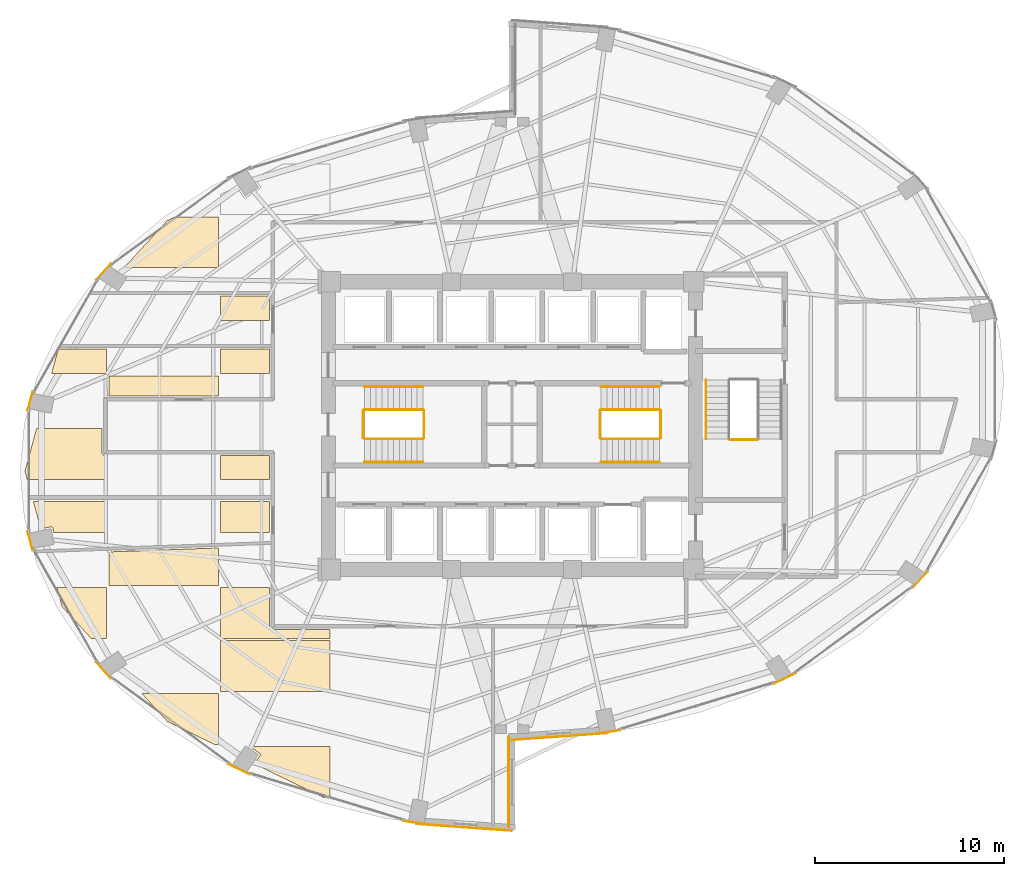
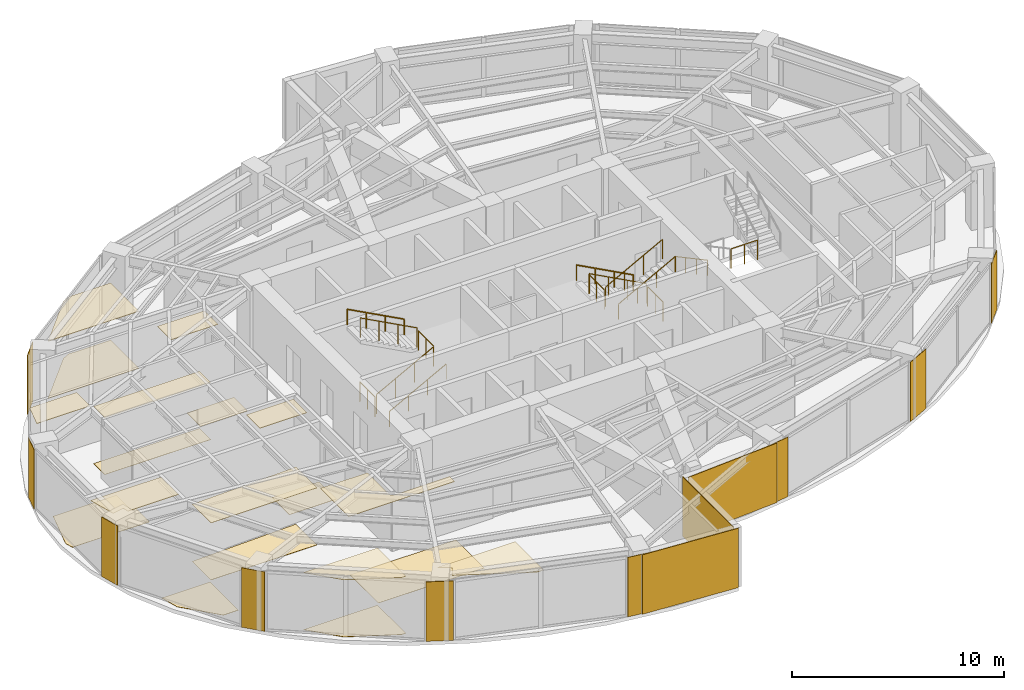
# One storey, part 22 of 23: 31 coverings, 14 railings.
"""IFC4 building model written with IfcOpenShell, lengths in metres."""

from ifc_helpers import new_model, si_unit, direction, frame, origin, origin_2d, place, context, subcontext, project, spatial, polyline, rectangle, circle, outline, extrude, material, layer, layer_set, type_object, element, save


model = new_model("IFC4")

# Units and contexts
model_context = context("Model", 3, precision=1e-05, world=origin(), true_north=direction((0.0, 1.0)))
body_context = subcontext(model_context, "Body", "Model", "MODEL_VIEW")
ifc_project = project(units=[si_unit("LENGTHUNIT", "METRE"), si_unit("AREAUNIT", "SQUARE_METRE"), si_unit("VOLUMEUNIT", "CUBIC_METRE"), si_unit("PLANEANGLEUNIT", "RADIAN"), si_unit("MASSUNIT", "GRAM", prefix="KILO")], contexts=[model_context])

# Site, building, storey
site_placement = place(None, origin())
site = spatial("IfcSite", under=ifc_project, at=site_placement, CompositionType="ELEMENT")
building_placement = place(site_placement, origin())
building = spatial("IfcBuilding", under=site, at=building_placement, Name="Lazwardi Medical Tower", CompositionType="ELEMENT")
storey_placement = place(building_placement, frame((0.0, 0.0, 92.68798828125)))
storey = spatial("IfcBuildingStorey", under=building, at=storey_placement, Name="L23", CompositionType="ELEMENT", Elevation=92.68798828125)

# Coverings
ifc_material_1 = material(Name="Anodised bronze aluminium cassette cladding", Category="aluminium")
ifc_layer_1 = layer(ifc_material_1, 0.030029296875)
ifc_layer_set_1 = layer_set([ifc_layer_1], Name="Anodised bronze aluminium cassette cladding")
covering_type_1 = type_object("IfcCoveringType", Name="COV-CLD-BRZ", PredefinedType="CLADDING", material=ifc_layer_set_1)
covering_1_placement = place(storey_placement, frame((41.064208984375, 11.80322265625, 0.0), z_axis=(0.0, 0.0, 1.0), x_axis=(0.989609019093, 0.143784523955, 0.0)))
element("IfcCovering", 1, at=covering_1_placement, inside=storey, type_object=covering_type_1, Name="L23 Mega-column bronze cassette cover M01", PredefinedType="CLADDING", context=body_context, shape_type="SweptSolid", body=[
    extrude(rectangle(XDim=1.392333984375, YDim=0.030029296875, at=origin_2d()), origin(), (0.0, 0.0, 1.0), 3.427978515625),
])
covering_2_placement = place(storey_placement, frame((50.421875, 14.634521484375, 0.0), z_axis=(0.0, 0.0, 1.0), x_axis=(0.898679250201, 0.438606435495, 0.0)))
element("IfcCovering", 2, at=covering_2_placement, inside=storey, type_object=covering_type_1, Name="L23 Mega-column bronze cassette cover M02", PredefinedType="CLADDING", context=body_context, shape_type="SweptSolid", body=[
    extrude(rectangle(XDim=1.2998046875, YDim=0.030029296875, at=origin_2d()), origin(), (0.0, 0.0, 1.0), 3.427978515625),
])
for number, where, z_axis, x_axis, name in (
    (3, (57.583740234375, 19.86572265625, 0.0), (0.0, 0.0, 1.0), (0.674925949214, 0.737885467453, 0.0), "L23 Mega-column bronze cassette cover M03"),
    (4, (14.416259765625, 36.13427734375, 0.0), (0.0, 0.0, 1.0), (-0.674925949214, -0.737885467453, 0.0), "L23 Mega-column bronze cassette cover M11"),
):
    element("IfcCovering", number, at=place(storey_placement, frame(where, z_axis=z_axis, x_axis=x_axis)), inside=storey, type_object=covering_type_1, Name=name, PredefinedType="CLADDING", context=body_context, shape_type="SweptSolid", body=[
        extrude(rectangle(XDim=1.15625, YDim=0.030029296875, at=origin_2d()), origin(), (0.0, 0.0, 1.0), 3.427978515625),
    ])
for number, where, z_axis, x_axis, name in (
    (5, (10.540283203125, 29.299072265625, 0.0), (0.0, 0.0, 1.0), (-0.262696108164, -0.964878621774, 0.0), "L23 Mega-column bronze cassette cover M12"),
    (6, (10.540283203125, 21.90087890625, 0.0), (0.0, 0.0, 1.0), (0.262696108164, -0.964878621774, 0.0), "L23 Mega-column bronze cassette cover M13"),
):
    element("IfcCovering", number, at=place(storey_placement, frame(where, z_axis=z_axis, x_axis=x_axis)), inside=storey, type_object=covering_type_1, Name=name, PredefinedType="CLADDING", context=body_context, shape_type="SweptSolid", body=[
        extrude(rectangle(XDim=1.04296875, YDim=0.030029296875, at=origin_2d()), origin(), (0.0, 0.0, 1.0), 3.427978515625),
    ])
covering_3_placement = place(storey_placement, frame((14.416259765625, 15.06591796875, 0.0), z_axis=(0.0, 0.0, 1.0), x_axis=(0.674925949214, -0.737885467453, 0.0)))
element("IfcCovering", 7, at=covering_3_placement, inside=storey, type_object=covering_type_1, Name="L23 Mega-column bronze cassette cover M14", PredefinedType="CLADDING", context=body_context, shape_type="SweptSolid", body=[
    extrude(rectangle(XDim=1.15625, YDim=0.030029296875, at=origin_2d()), origin(), (0.0, 0.0, 1.0), 3.427978515625),
])
covering_4_placement = place(storey_placement, frame((21.578125, 9.83447265625, 0.0), z_axis=(0.0, 0.0, 1.0), x_axis=(0.898679250201, -0.438606435495, 0.0)))
element("IfcCovering", 8, at=covering_4_placement, inside=storey, type_object=covering_type_1, Name="L23 Mega-column bronze cassette cover M15", PredefinedType="CLADDING", context=body_context, shape_type="SweptSolid", body=[
    extrude(rectangle(XDim=1.2998046875, YDim=0.030029296875, at=origin_2d()), origin(), (0.0, 0.0, 1.0), 3.427978515625),
])
covering_5_placement = place(storey_placement, frame((30.935791015625, 7.00341796875, 0.0), z_axis=(0.0, 0.0, 1.0), x_axis=(0.989609019093, -0.143784523955, 0.0)))
element("IfcCovering", 9, at=covering_5_placement, inside=storey, type_object=covering_type_1, Name="L23 Mega-column bronze cassette cover M16", PredefinedType="CLADDING", context=body_context, shape_type="SweptSolid", body=[
    extrude(rectangle(XDim=1.392333984375, YDim=0.030029296875, at=origin_2d()), origin(), (0.0, 0.0, 1.0), 3.427978515625),
])
ifc_material_2 = material(Name="Turquoise glazed ceramic tilework cladding", Category="masonry")
ifc_layer_2 = layer(ifc_material_2, 0.034912109375)
ifc_layer_set_2 = layer_set([ifc_layer_2], Name="Turquoise glazed ceramic tilework cladding")
covering_type_2 = type_object("IfcCoveringType", Name="COV-CLD-TRQ", PredefinedType="CLADDING", material=ifc_layer_set_2)
covering_6_placement = place(storey_placement, frame((38.533203125, 11.56591796875, 0.0), z_axis=(0.0, 0.0, 1.0), x_axis=(0.997431665415, 0.07162452672, 0.0)))
element("IfcCovering", 10, at=covering_6_placement, inside=storey, type_object=covering_type_2, Name="L23 Turquoise glazed ceramic tilework cladding", PredefinedType="CLADDING", context=body_context, shape_type="SweptSolid", body=[
    extrude(rectangle(XDim=5.05419921875, YDim=0.034912109375, at=origin_2d()), origin(), (0.0, 0.0, 1.0), 3.427978515625),
])
covering_7_placement = place(storey_placement, frame((33.466552734375, 6.76611328125, 0.0), z_axis=(0.0, 0.0, 1.0), x_axis=(0.997431165357, -0.071631490105, 0.0)))
element("IfcCovering", 11, at=covering_7_placement, inside=storey, type_object=covering_type_2, Name="L23 Turquoise glazed ceramic tilework cladding", PredefinedType="CLADDING", context=body_context, shape_type="SweptSolid", body=[
    extrude(rectangle(XDim=5.0537109375, YDim=0.034912109375, at=origin_2d()), origin(), (0.0, 0.0, 1.0), 3.427978515625),
])
covering_8_placement = place(storey_placement, frame((35.824462890625, 9.159912109375, 0.0), z_axis=(0.0, 0.0, 1.0), x_axis=(0.0, 1.0, 0.0)))
element("IfcCovering", 12, at=covering_8_placement, inside=storey, type_object=covering_type_2, Name="L23 Turquoise glazed ceramic tilework iwan panel", PredefinedType="CLADDING", context=body_context, shape_type="SweptSolid", body=[
    extrude(rectangle(XDim=4.800048828125, YDim=0.034912109375, at=origin_2d()), origin(), (0.0, 0.0, 1.0), 3.427978515625),
])
ifc_material_3 = material(Name="Acoustic mineral fibre tile")
ifc_layer_3 = layer(ifc_material_3, 0.02490234375)
ifc_layer_set_3 = layer_set([ifc_layer_3], Name="Acoustic mineral fibre tile")
covering_type_3 = type_object("IfcCoveringType", Name="COV-CLG-01", PredefinedType="CEILING", material=ifc_layer_set_3)
covering_9_placement = place(storey_placement, frame((0.0, 0.0, 3.282958984375)))
element("IfcCovering", 13, at=covering_9_placement, inside=storey, type_object=covering_type_3, Name="L23 Clinical Acoustic Ceiling 1", PredefinedType="CEILING", context=body_context, shape_type="SweptSolid", body=[
    extrude(outline(polyline([(14.5830078125, 24.0), (10.69970703125, 24.0), (11.097412109375, 22.54248046875), (11.643798828125, 22.651123046875), (11.651611328125, 22.652099609375), (11.6591796875, 22.652587890625), (11.6669921875, 22.652099609375), (11.6748046875, 22.651123046875), (11.6826171875, 22.649169921875), (11.68994140625, 22.646484375), (11.697021484375, 22.643310546875), (11.70361328125, 22.63916015625), (11.710205078125, 22.634521484375), (11.7158203125, 22.629150390625), (11.72119140625, 22.623291015625), (11.725830078125, 22.616943359375), (11.72998046875, 22.6103515625), (11.733154296875, 22.603271484375), (11.73583984375, 22.595703125), (11.73779296875, 22.588134765625), (11.78466796875, 22.352294921875), (14.5830078125, 22.352294921875), (14.5830078125, 24.0)])), origin(), (0.0, 0.0, 1.0), 0.025146484375),
])
covering_10_placement = place(storey_placement, frame((0.0, 0.0, 3.282958984375)))
element("IfcCovering", 14, at=covering_10_placement, inside=storey, type_object=covering_type_3, Name="L23 Clinical Acoustic Ceiling 2", PredefinedType="CEILING", context=body_context, shape_type="SweptSolid", body=[
    extrude(outline(polyline([(14.5830078125, 32.034912109375), (12.01904296875, 32.034912109375), (11.6689453125, 30.75244140625), (14.5830078125, 30.75244140625), (14.5830078125, 32.034912109375)])), origin(), (0.0, 0.0, 1.0), 0.025146484375),
])
covering_11_placement = place(storey_placement, frame((0.0, 0.0, 3.282958984375)))
element("IfcCovering", 15, at=covering_11_placement, inside=storey, type_object=covering_type_3, Name="L23 Clinical Acoustic Ceiling 3", PredefinedType="CEILING", context=body_context, shape_type="SweptSolid", body=[
    extrude(outline(polyline([(16.439208984375, 13.83251953125), (17.791259765625, 12.357666015625), (20.265625, 11.15234375), (20.48291015625, 11.15234375), (20.48291015625, 13.83251953125), (16.439208984375, 13.83251953125)])), origin(), (0.0, 0.0, 1.0), 0.025146484375),
])
covering_12_placement = place(storey_placement, frame((0.0, 0.0, 3.282958984375)))
element("IfcCovering", 16, at=covering_12_placement, inside=storey, type_object=covering_type_3, Name="L23 Clinical Acoustic Ceiling 4", PredefinedType="CEILING", context=body_context, shape_type="SweptSolid", body=[
    extrude(outline(polyline([(20.48291015625, 21.531982421875), (14.702880859375, 21.322998046875), (14.702880859375, 19.552490234375), (20.48291015625, 19.552490234375), (20.48291015625, 21.531982421875)])), origin(), (0.0, 0.0, 1.0), 0.025146484375),
])
covering_13_placement = place(storey_placement, frame((0.0, 0.0, 3.282958984375)))
element("IfcCovering", 17, at=covering_13_placement, inside=storey, type_object=covering_type_3, Name="L23 Clinical Acoustic Ceiling 5", PredefinedType="CEILING", context=body_context, shape_type="SweptSolid", body=[
    extrude(outline(polyline([(14.702880859375, 29.574951171875), (20.48291015625, 29.574951171875), (20.48291015625, 30.63232421875), (14.702880859375, 30.63232421875), (14.702880859375, 29.574951171875)])), origin(), (0.0, 0.0, 1.0), 0.025146484375),
])
covering_14_placement = place(storey_placement, frame((0.0, 0.0, 3.282958984375)))
element("IfcCovering", 18, at=covering_14_placement, inside=storey, type_object=covering_type_3, Name="L23 Clinical Acoustic Ceiling 6", PredefinedType="CEILING", context=body_context, shape_type="SweptSolid", body=[
    extrude(outline(polyline([(18.181396484375, 39.032470703125), (17.791259765625, 38.84228515625), (15.508544921875, 36.352294921875), (20.48291015625, 36.352294921875), (20.48291015625, 39.032470703125), (18.181396484375, 39.032470703125)])), origin(), (0.0, 0.0, 1.0), 0.025146484375),
])
covering_15_placement = place(storey_placement, frame((0.0, 0.0, 3.282958984375)))
element("IfcCovering", 19, at=covering_15_placement, inside=storey, type_object=covering_type_3, Name="L23 Clinical Acoustic Ceiling 7", PredefinedType="CEILING", context=body_context, shape_type="SweptSolid", body=[
    extrude(outline(polyline([(22.143798828125, 11.032470703125), (22.6708984375, 10.68017578125), (22.677490234375, 10.67529296875), (22.68310546875, 10.670166015625), (22.6884765625, 10.664306640625), (22.693115234375, 10.657958984375), (22.697265625, 10.6513671875), (22.700439453125, 10.644287109375), (22.703125, 10.63671875), (22.705078125, 10.629150390625), (22.706298828125, 10.621337890625), (22.70654296875, 10.613525390625), (22.706298828125, 10.605712890625), (22.705078125, 10.597900390625), (22.703125, 10.59033203125), (22.700439453125, 10.5830078125), (22.697265625, 10.575927734375), (22.693115234375, 10.569091796875), (22.39111328125, 10.1171875), (26.0146484375, 8.352294921875), (26.3828125, 8.352294921875), (26.3828125, 11.032470703125), (22.143798828125, 11.032470703125)])), origin(), (0.0, 0.0, 1.0), 0.025146484375),
])
covering_16_placement = place(storey_placement, frame((0.0, 0.0, 3.282958984375)))
element("IfcCovering", 20, at=covering_16_placement, inside=storey, type_object=covering_type_3, Name="L23 Clinical Acoustic Ceiling 8", PredefinedType="CEILING", context=body_context, shape_type="SweptSolid", body=[
    extrude(outline(polyline([(26.3828125, 17.22509765625), (23.35009765625, 17.22509765625), (23.345703125, 17.22509765625), (23.33642578125, 17.2255859375), (23.32958984375, 17.226318359375), (23.3203125, 17.2275390625), (23.31201171875, 17.229248046875), (23.302734375, 17.2314453125), (23.2958984375, 17.233642578125), (23.287109375, 17.23681640625), (23.279296875, 17.239990234375), (23.270751953125, 17.243896484375), (23.263916015625, 17.24755859375), (23.256103515625, 17.25244140625), (23.249267578125, 17.2568359375), (23.24169921875, 17.262451171875), (23.236083984375, 17.26708984375), (23.229248046875, 17.273193359375), (23.223388671875, 17.279296875), (23.217041015625, 17.2861328125), (23.21240234375, 17.291748046875), (23.206787109375, 17.29931640625), (23.202392578125, 17.305908203125), (23.197509765625, 17.31396484375), (23.194091796875, 17.32080078125), (23.18994140625, 17.3291015625), (23.186767578125, 17.3369140625), (23.18359375, 17.345703125), (23.181396484375, 17.352783203125), (23.17919921875, 17.36181640625), (23.177490234375, 17.370361328125), (23.17626953125, 17.37939453125), (23.175537109375, 17.386474609375), (23.175048828125, 17.395751953125), (23.175048828125, 17.39990234375), (23.175048828125, 19.432373046875), (20.602783203125, 19.432373046875), (20.602783203125, 16.75244140625), (26.3828125, 16.75244140625), (26.3828125, 17.22509765625)])), origin(), (0.0, 0.0, 1.0), 0.025146484375),
])
covering_17_placement = place(storey_placement, frame((0.0, 0.0, 3.282958984375)))
element("IfcCovering", 21, at=covering_17_placement, inside=storey, type_object=covering_type_3, Name="L23 Clinical Acoustic Ceiling 9", PredefinedType="CEILING", context=body_context, shape_type="SweptSolid", body=[
    extrude(outline(polyline([(23.175048828125, 25.15234375), (23.175048828125, 26.425048828125), (20.602783203125, 26.425048828125), (20.602783203125, 25.15234375), (23.175048828125, 25.15234375)])), origin(), (0.0, 0.0, 1.0), 0.025146484375),
])
covering_18_placement = place(storey_placement, frame((0.0, 0.0, 3.282958984375)))
element("IfcCovering", 22, at=covering_18_placement, inside=storey, type_object=covering_type_3, Name="L23 Clinical Acoustic Ceiling 10", PredefinedType="CEILING", context=body_context, shape_type="SweptSolid", body=[
    extrude(outline(polyline([(23.175048828125, 33.552490234375), (23.175048828125, 34.8349609375), (20.602783203125, 34.8349609375), (20.602783203125, 33.552490234375), (23.175048828125, 33.552490234375)])), origin(), (0.0, 0.0, 1.0), 0.025146484375),
])
ifc_material_4 = material(Name="Anti-static hospital vinyl sheet flooring")
ifc_layer_4 = layer(ifc_material_4, 0.014892578125)
ifc_layer_set_4 = layer_set([ifc_layer_4], Name="Anti-static hospital vinyl sheet flooring")
covering_type_4 = type_object("IfcCoveringType", Name="COV-FLR-01", PredefinedType="FLOORING", material=ifc_layer_set_4)
covering_19_placement = place(storey_placement, origin())
element("IfcCovering", 23, at=covering_19_placement, inside=storey, type_object=covering_type_4, Name="L23 Clinical Vinyl Flooring 1", PredefinedType="FLOORING", context=body_context, shape_type="SweptSolid", body=[
    extrude(outline(polyline([(11.946044921875, 19.432373046875), (12.217529296875, 18.437744140625), (13.76220703125, 16.75244140625), (14.5830078125, 16.75244140625), (14.5830078125, 19.432373046875), (11.946044921875, 19.432373046875)])), origin(), (0.0, 0.0, 1.0), 0.014892578125),
])
covering_20_placement = place(storey_placement, origin())
element("IfcCovering", 24, at=covering_20_placement, inside=storey, type_object=covering_type_4, Name="L23 Clinical Vinyl Flooring 2", PredefinedType="FLOORING", context=body_context, shape_type="SweptSolid", body=[
    extrude(outline(polyline([(14.5830078125, 26.425048828125), (14.5, 26.425048828125), (14.49560546875, 26.425048828125), (14.486328125, 26.425537109375), (14.4794921875, 26.42626953125), (14.47021484375, 26.427490234375), (14.4619140625, 26.42919921875), (14.452880859375, 26.431396484375), (14.44580078125, 26.43359375), (14.43701171875, 26.436767578125), (14.42919921875, 26.43994140625), (14.4208984375, 26.444091796875), (14.4140625, 26.447509765625), (14.406005859375, 26.452392578125), (14.3994140625, 26.456787109375), (14.391845703125, 26.46240234375), (14.38623046875, 26.467041015625), (14.37939453125, 26.473388671875), (14.373291015625, 26.479248046875), (14.3671875, 26.486083984375), (14.362548828125, 26.49169921875), (14.35693359375, 26.499267578125), (14.352294921875, 26.506103515625), (14.34765625, 26.513916015625), (14.343994140625, 26.520751953125), (14.340087890625, 26.529296875), (14.336669921875, 26.537109375), (14.33349609375, 26.5458984375), (14.33154296875, 26.552734375), (14.3291015625, 26.56201171875), (14.32763671875, 26.5703125), (14.326416015625, 26.57958984375), (14.32568359375, 26.58642578125), (14.3251953125, 26.595703125), (14.324951171875, 26.60009765625), (14.324951171875, 27.83251953125), (10.872314453125, 27.83251953125), (10.262939453125, 25.60009765625), (10.385009765625, 25.15234375), (14.5830078125, 25.15234375), (14.5830078125, 26.425048828125)])), origin(), (0.0, 0.0, 1.0), 0.014892578125),
])
covering_21_placement = place(storey_placement, origin())
element("IfcCovering", 25, at=covering_21_placement, inside=storey, type_object=covering_type_4, Name="L23 Clinical Vinyl Flooring 3", PredefinedType="FLOORING", context=body_context, shape_type="SweptSolid", body=[
    extrude(outline(polyline([(16.439208984375, 13.83251953125), (17.791259765625, 12.357666015625), (20.265625, 11.15234375), (20.48291015625, 11.15234375), (20.48291015625, 13.83251953125), (16.439208984375, 13.83251953125)])), origin(), (0.0, 0.0, 1.0), 0.014892578125),
])
covering_22_placement = place(storey_placement, origin())
element("IfcCovering", 26, at=covering_22_placement, inside=storey, type_object=covering_type_4, Name="L23 Clinical Vinyl Flooring 4", PredefinedType="FLOORING", context=body_context, shape_type="SweptSolid", body=[
    extrude(outline(polyline([(20.48291015625, 21.531982421875), (14.702880859375, 21.322998046875), (14.702880859375, 19.552490234375), (20.48291015625, 19.552490234375), (20.48291015625, 21.531982421875)])), origin(), (0.0, 0.0, 1.0), 0.014892578125),
])
covering_23_placement = place(storey_placement, origin())
element("IfcCovering", 27, at=covering_23_placement, inside=storey, type_object=covering_type_4, Name="L23 Clinical Vinyl Flooring 5", PredefinedType="FLOORING", context=body_context, shape_type="SweptSolid", body=[
    extrude(outline(polyline([(14.702880859375, 29.574951171875), (20.48291015625, 29.574951171875), (20.48291015625, 30.63232421875), (14.702880859375, 30.63232421875), (14.702880859375, 29.574951171875)])), origin(), (0.0, 0.0, 1.0), 0.014892578125),
])
covering_24_placement = place(storey_placement, origin())
element("IfcCovering", 28, at=covering_24_placement, inside=storey, type_object=covering_type_4, Name="L23 Clinical Vinyl Flooring 6", PredefinedType="FLOORING", context=body_context, shape_type="SweptSolid", body=[
    extrude(outline(polyline([(18.181396484375, 39.032470703125), (17.791259765625, 38.84228515625), (15.508544921875, 36.352294921875), (20.48291015625, 36.352294921875), (20.48291015625, 39.032470703125), (18.181396484375, 39.032470703125)])), origin(), (0.0, 0.0, 1.0), 0.014892578125),
])
covering_25_placement = place(storey_placement, origin())
element("IfcCovering", 29, at=covering_25_placement, inside=storey, type_object=covering_type_4, Name="L23 Clinical Vinyl Flooring 7", PredefinedType="FLOORING", context=body_context, shape_type="SweptSolid", body=[
    extrude(outline(polyline([(26.3828125, 13.952392578125), (26.3828125, 16.63232421875), (20.602783203125, 16.63232421875), (20.602783203125, 13.952392578125), (26.3828125, 13.952392578125)])), origin(), (0.0, 0.0, 1.0), 0.014892578125),
])
covering_26_placement = place(storey_placement, origin())
element("IfcCovering", 30, at=covering_26_placement, inside=storey, type_object=covering_type_4, Name="L23 Clinical Vinyl Flooring 8", PredefinedType="FLOORING", context=body_context, shape_type="SweptSolid", body=[
    extrude(outline(polyline([(23.175048828125, 22.352294921875), (23.175048828125, 24.0), (20.602783203125, 24.0), (20.602783203125, 22.352294921875), (23.175048828125, 22.352294921875)])), origin(), (0.0, 0.0, 1.0), 0.014892578125),
])
covering_27_placement = place(storey_placement, origin())
element("IfcCovering", 31, at=covering_27_placement, inside=storey, type_object=covering_type_4, Name="L23 Clinical Vinyl Flooring 9", PredefinedType="FLOORING", context=body_context, shape_type="SweptSolid", body=[
    extrude(outline(polyline([(23.175048828125, 30.75244140625), (23.175048828125, 32.034912109375), (20.602783203125, 32.034912109375), (20.602783203125, 30.75244140625), (23.175048828125, 30.75244140625)])), origin(), (0.0, 0.0, 1.0), 0.014892578125),
])

# Railings
ifc_material_5 = material(Name="Stainless steel Grade 316", Category="steel")
railing_type_1 = type_object("IfcRailingType", Name="RLG-GRD-1150", PredefinedType="GUARDRAIL", material=ifc_material_5)
railing_1_placement = place(storey_placement, frame((28.199951171875, 27.2900390625, 0.165771484375)))
element("IfcRailing", 32, at=railing_1_placement, inside=storey, type_object=railing_type_1, Name="L23 ST1 stair guard 1", PredefinedType="GUARDRAIL", context=body_context, shape_type="SweptSolid", body=[
    extrude(circle(Radius=0.02392578125, at=origin_2d()), frame((0.0, 0.0, 1.1259765625), z_axis=(0.881783298633, 0.0, 0.471654761719), x_axis=(0.0, 1.0, 0.0)), (0.0, 0.0, 1.0), 3.515625),
    extrude(circle(Radius=0.02099609375, at=origin_2d()), origin(), (0.0, 0.0, 1.0), 1.099853515625),
    extrude(circle(Radius=0.02099609375, at=origin_2d()), frame((1.033447265625, 0.0, 0.552734375)), (0.0, 0.0, 1.0), 1.099853515625),
    extrude(circle(Radius=0.02099609375, at=origin_2d()), frame((2.066650390625, 0.0, 1.10546875)), (0.0, 0.0, 1.0), 1.099853515625),
    extrude(circle(Radius=0.02099609375, at=origin_2d()), frame((3.10009765625, 0.0, 1.658203125)), (0.0, 0.0, 1.0), 1.099853515625),
])
railing_2_placement = place(storey_placement, frame((31.35009765625, 27.340087890625, 1.823974609375)))
element("IfcRailing", 33, at=railing_2_placement, inside=storey, type_object=railing_type_1, Name="L23 ST1 stair guard 2", PredefinedType="GUARDRAIL", context=body_context, shape_type="SweptSolid", body=[
    extrude(circle(Radius=0.02392578125, at=origin_2d()), frame((0.0, 0.0, 1.1259765625), z_axis=(0.0, 1.0, 0.0), x_axis=(-1.0, 0.0, 0.0)), (0.0, 0.0, 1.0), 1.43994140625),
    extrude(circle(Radius=0.02099609375, at=origin_2d()), origin(), (0.0, 0.0, 1.0), 1.099853515625),
    extrude(circle(Radius=0.02099609375, at=origin_2d()), frame((0.0, 0.719970703125, 0.0)), (0.0, 0.0, 1.0), 1.099853515625),
    extrude(circle(Radius=0.02099609375, at=origin_2d()), frame((0.0, 1.43994140625, 0.0)), (0.0, 0.0, 1.0), 1.099853515625),
])
railing_3_placement = place(storey_placement, frame((31.300048828125, 28.830078125, 1.98974609375)))
element("IfcRailing", 34, at=railing_3_placement, inside=storey, type_object=railing_type_1, Name="L23 ST1 stair guard 3", PredefinedType="GUARDRAIL", context=body_context, shape_type="SweptSolid", body=[
    extrude(circle(Radius=0.02392578125, at=origin_2d()), frame((0.0, 0.0, 1.1259765625), z_axis=(-0.881783298633, 0.0, 0.471654761719), x_axis=(0.0, -1.0, 0.0)), (0.0, 0.0, 1.0), 3.515625),
    extrude(circle(Radius=0.02099609375, at=origin_2d()), origin(), (0.0, 0.0, 1.0), 1.099853515625),
    extrude(circle(Radius=0.02099609375, at=origin_2d()), frame((-1.033447265625, 0.0, 0.552734375)), (0.0, 0.0, 1.0), 1.099853515625),
    extrude(circle(Radius=0.02099609375, at=origin_2d()), frame((-2.066650390625, 0.0, 1.10546875)), (0.0, 0.0, 1.0), 1.099853515625),
    extrude(circle(Radius=0.02099609375, at=origin_2d()), frame((-3.10009765625, 0.0, 1.658203125)), (0.0, 0.0, 1.0), 1.099853515625),
])
railing_4_placement = place(storey_placement, frame((28.14990234375, 27.340087890625, 0.0)))
element("IfcRailing", 35, at=railing_4_placement, inside=storey, type_object=railing_type_1, Name="L23 ST1 stair guard 4", PredefinedType="GUARDRAIL", context=body_context, shape_type="SweptSolid", body=[
    extrude(circle(Radius=0.02392578125, at=origin_2d()), frame((0.0, 0.0, 1.1259765625), z_axis=(0.0, 1.0, 0.0), x_axis=(-1.0, 0.0, 0.0)), (0.0, 0.0, 1.0), 1.43994140625),
    extrude(circle(Radius=0.02099609375, at=origin_2d()), origin(), (0.0, 0.0, 1.0), 1.099853515625),
    extrude(circle(Radius=0.02099609375, at=origin_2d()), frame((0.0, 0.719970703125, 0.0)), (0.0, 0.0, 1.0), 1.099853515625),
    extrude(circle(Radius=0.02099609375, at=origin_2d()), frame((0.0, 1.43994140625, 0.0)), (0.0, 0.0, 1.0), 1.099853515625),
])
railing_5_placement = place(storey_placement, frame((43.800048828125, 28.830078125, 0.165771484375)))
element("IfcRailing", 36, at=railing_5_placement, inside=storey, type_object=railing_type_1, Name="L23 ST2 stair guard 1", PredefinedType="GUARDRAIL", context=body_context, shape_type="SweptSolid", body=[
    extrude(circle(Radius=0.02392578125, at=origin_2d()), frame((0.0, 0.0, 1.1259765625), z_axis=(-0.881783298633, 0.0, 0.471654761719), x_axis=(0.0, -1.0, 0.0)), (0.0, 0.0, 1.0), 3.515625),
    extrude(circle(Radius=0.02099609375, at=origin_2d()), origin(), (0.0, 0.0, 1.0), 1.099853515625),
    extrude(circle(Radius=0.02099609375, at=origin_2d()), frame((-1.033447265625, 0.0, 0.552734375)), (0.0, 0.0, 1.0), 1.099853515625),
    extrude(circle(Radius=0.02099609375, at=origin_2d()), frame((-2.066650390625, 0.0, 1.10546875)), (0.0, 0.0, 1.0), 1.099853515625),
    extrude(circle(Radius=0.02099609375, at=origin_2d()), frame((-3.10009765625, 0.0, 1.658203125)), (0.0, 0.0, 1.0), 1.099853515625),
])
railing_6_placement = place(storey_placement, frame((40.64990234375, 28.780029296875, 1.823974609375)))
element("IfcRailing", 37, at=railing_6_placement, inside=storey, type_object=railing_type_1, Name="L23 ST2 stair guard 2", PredefinedType="GUARDRAIL", context=body_context, shape_type="SweptSolid", body=[
    extrude(circle(Radius=0.02392578125, at=origin_2d()), frame((0.0, 0.0, 1.1259765625), z_axis=(0.0, -1.0, 0.0), x_axis=(1.0, 0.0, 0.0)), (0.0, 0.0, 1.0), 1.43994140625),
    extrude(circle(Radius=0.02099609375, at=origin_2d()), origin(), (0.0, 0.0, 1.0), 1.099853515625),
    extrude(circle(Radius=0.02099609375, at=origin_2d()), frame((0.0, -0.719970703125, 0.0)), (0.0, 0.0, 1.0), 1.099853515625),
    extrude(circle(Radius=0.02099609375, at=origin_2d()), frame((0.0, -1.43994140625, 0.0)), (0.0, 0.0, 1.0), 1.099853515625),
])
railing_7_placement = place(storey_placement, frame((40.699951171875, 27.2900390625, 1.98974609375)))
element("IfcRailing", 38, at=railing_7_placement, inside=storey, type_object=railing_type_1, Name="L23 ST2 stair guard 3", PredefinedType="GUARDRAIL", context=body_context, shape_type="SweptSolid", body=[
    extrude(circle(Radius=0.02392578125, at=origin_2d()), frame((0.0, 0.0, 1.1259765625), z_axis=(0.881783298633, 0.0, 0.471654761719), x_axis=(0.0, 1.0, 0.0)), (0.0, 0.0, 1.0), 3.515625),
    extrude(circle(Radius=0.02099609375, at=origin_2d()), origin(), (0.0, 0.0, 1.0), 1.099853515625),
    extrude(circle(Radius=0.02099609375, at=origin_2d()), frame((1.033447265625, 0.0, 0.552734375)), (0.0, 0.0, 1.0), 1.099853515625),
    extrude(circle(Radius=0.02099609375, at=origin_2d()), frame((2.066650390625, 0.0, 1.10546875)), (0.0, 0.0, 1.0), 1.099853515625),
    extrude(circle(Radius=0.02099609375, at=origin_2d()), frame((3.10009765625, 0.0, 1.658203125)), (0.0, 0.0, 1.0), 1.099853515625),
])
railing_8_placement = place(storey_placement, frame((43.85009765625, 28.780029296875, 0.0)))
element("IfcRailing", 39, at=railing_8_placement, inside=storey, type_object=railing_type_1, Name="L23 ST2 stair guard 4", PredefinedType="GUARDRAIL", context=body_context, shape_type="SweptSolid", body=[
    extrude(circle(Radius=0.02392578125, at=origin_2d()), frame((0.0, 0.0, 1.1259765625), z_axis=(0.0, -1.0, 0.0), x_axis=(1.0, 0.0, 0.0)), (0.0, 0.0, 1.0), 1.43994140625),
    extrude(circle(Radius=0.02099609375, at=origin_2d()), origin(), (0.0, 0.0, 1.0), 1.099853515625),
    extrude(circle(Radius=0.02099609375, at=origin_2d()), frame((0.0, -0.719970703125, 0.0)), (0.0, 0.0, 1.0), 1.099853515625),
    extrude(circle(Radius=0.02099609375, at=origin_2d()), frame((0.0, -1.43994140625, 0.0)), (0.0, 0.0, 1.0), 1.099853515625),
])
railing_9_placement = place(storey_placement, frame((47.52001953125, 27.25, 1.823974609375)))
element("IfcRailing", 40, at=railing_9_placement, inside=storey, type_object=railing_type_1, Name="L23 ST3 stair guard 2", PredefinedType="GUARDRAIL", context=body_context, shape_type="SweptSolid", body=[
    extrude(circle(Radius=0.02392578125, at=origin_2d()), frame((0.0, 0.0, 1.1259765625), z_axis=(1.0, 0.0, 0.0), x_axis=(0.0, 1.0, 0.0)), (0.0, 0.0, 1.0), 1.43994140625),
    extrude(circle(Radius=0.02099609375, at=origin_2d()), origin(), (0.0, 0.0, 1.0), 1.099853515625),
    extrude(circle(Radius=0.02099609375, at=origin_2d()), frame((0.719970703125, 0.0, 0.0)), (0.0, 0.0, 1.0), 1.099853515625),
    extrude(circle(Radius=0.02099609375, at=origin_2d()), frame((1.43994140625, 0.0, 0.0)), (0.0, 0.0, 1.0), 1.099853515625),
])
railing_type_2 = type_object("IfcRailingType", Name="RLG-HND-920", PredefinedType="HANDRAIL", material=ifc_material_5)
railing_10_placement = place(storey_placement, frame((28.199951171875, 26.070068359375, 0.165771484375)))
element("IfcRailing", 41, at=railing_10_placement, inside=storey, type_object=railing_type_2, Name="L23 ST1 stair handrail 1", PredefinedType="HANDRAIL", context=body_context, shape_type="SweptSolid", body=[
    extrude(circle(Radius=0.02392578125, at=origin_2d()), frame((0.0, 0.0, 0.8857421875), z_axis=(0.881783298633, 0.0, 0.471654761719), x_axis=(0.0, 1.0, 0.0)), (0.0, 0.0, 1.0), 3.515625),
    extrude(circle(Radius=0.02099609375, at=origin_2d()), origin(), (0.0, 0.0, 1.0), 0.85986328125),
    extrude(circle(Radius=0.02099609375, at=origin_2d()), frame((1.033447265625, 0.0, 0.552734375)), (0.0, 0.0, 1.0), 0.85986328125),
    extrude(circle(Radius=0.02099609375, at=origin_2d()), frame((2.066650390625, 0.0, 1.10546875)), (0.0, 0.0, 1.0), 0.85986328125),
    extrude(circle(Radius=0.02099609375, at=origin_2d()), frame((3.10009765625, 0.0, 1.658203125)), (0.0, 0.0, 1.0), 0.85986328125),
])
for number, where, name in (
    (42, (31.300048828125, 30.050048828125, 1.98974609375), "L23 ST1 stair handrail 2"),
    (43, (43.800048828125, 30.050048828125, 0.165771484375), "L23 ST2 stair handrail 1"),
):
    element("IfcRailing", number, at=place(storey_placement, frame(where)), inside=storey, type_object=railing_type_2, Name=name, PredefinedType="HANDRAIL", context=body_context, shape_type="SweptSolid", body=[
        extrude(circle(Radius=0.02392578125, at=origin_2d()), frame((0.0, 0.0, 0.8857421875), z_axis=(-0.881783298633, 0.0, 0.471654761719), x_axis=(0.0, -1.0, 0.0)), (0.0, 0.0, 1.0), 3.515625),
        extrude(circle(Radius=0.02099609375, at=origin_2d()), origin(), (0.0, 0.0, 1.0), 0.85986328125),
        extrude(circle(Radius=0.02099609375, at=origin_2d()), frame((-1.033447265625, 0.0, 0.552734375)), (0.0, 0.0, 1.0), 0.85986328125),
        extrude(circle(Radius=0.02099609375, at=origin_2d()), frame((-2.066650390625, 0.0, 1.10546875)), (0.0, 0.0, 1.0), 0.85986328125),
        extrude(circle(Radius=0.02099609375, at=origin_2d()), frame((-3.10009765625, 0.0, 1.658203125)), (0.0, 0.0, 1.0), 0.85986328125),
    ])
railing_11_placement = place(storey_placement, frame((40.699951171875, 26.070068359375, 1.98974609375)))
element("IfcRailing", 44, at=railing_11_placement, inside=storey, type_object=railing_type_2, Name="L23 ST2 stair handrail 2", PredefinedType="HANDRAIL", context=body_context, shape_type="SweptSolid", body=[
    extrude(circle(Radius=0.02392578125, at=origin_2d()), frame((0.0, 0.0, 0.8857421875), z_axis=(0.881783298633, 0.0, 0.471654761719), x_axis=(0.0, 1.0, 0.0)), (0.0, 0.0, 1.0), 3.515625),
    extrude(circle(Radius=0.02099609375, at=origin_2d()), origin(), (0.0, 0.0, 1.0), 0.85986328125),
    extrude(circle(Radius=0.02099609375, at=origin_2d()), frame((1.033447265625, 0.0, 0.552734375)), (0.0, 0.0, 1.0), 0.85986328125),
    extrude(circle(Radius=0.02099609375, at=origin_2d()), frame((2.066650390625, 0.0, 1.10546875)), (0.0, 0.0, 1.0), 0.85986328125),
    extrude(circle(Radius=0.02099609375, at=origin_2d()), frame((3.10009765625, 0.0, 1.658203125)), (0.0, 0.0, 1.0), 0.85986328125),
])
railing_12_placement = place(storey_placement, frame((46.25, 30.39990234375, 0.165771484375)))
element("IfcRailing", 45, at=railing_12_placement, inside=storey, type_object=railing_type_2, Name="L23 ST3 stair handrail 1", PredefinedType="HANDRAIL", context=body_context, shape_type="SweptSolid", body=[
    extrude(circle(Radius=0.02392578125, at=origin_2d()), frame((0.0, 0.0, 0.8857421875), z_axis=(0.0, -0.881767849116, 0.471683644262), x_axis=(1.0, 0.0, 0.0)), (0.0, 0.0, 1.0), 3.515380859375),
    extrude(circle(Radius=0.02099609375, at=origin_2d()), origin(), (0.0, 0.0, 1.0), 0.85986328125),
    extrude(circle(Radius=0.02099609375, at=origin_2d()), frame((0.0, -1.033203125, 0.552734375)), (0.0, 0.0, 1.0), 0.85986328125),
    extrude(circle(Radius=0.02099609375, at=origin_2d()), frame((0.0, -2.066650390625, 1.10546875)), (0.0, 0.0, 1.0), 0.85986328125),
    extrude(circle(Radius=0.02099609375, at=origin_2d()), frame((0.0, -3.099853515625, 1.658203125)), (0.0, 0.0, 1.0), 0.85986328125),
])

save(model, "model.ifc")
